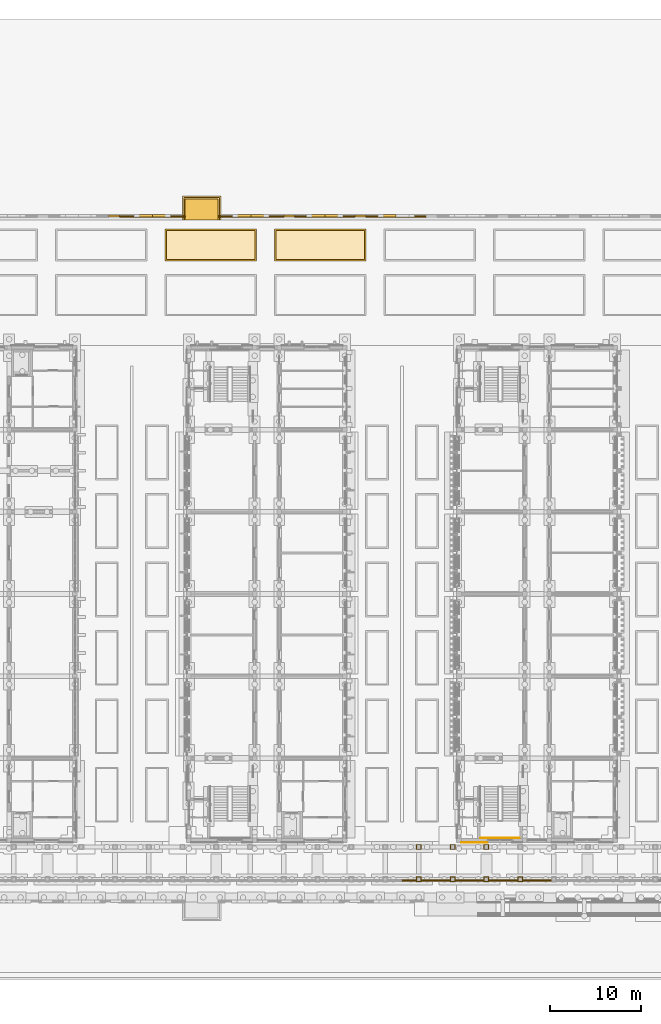
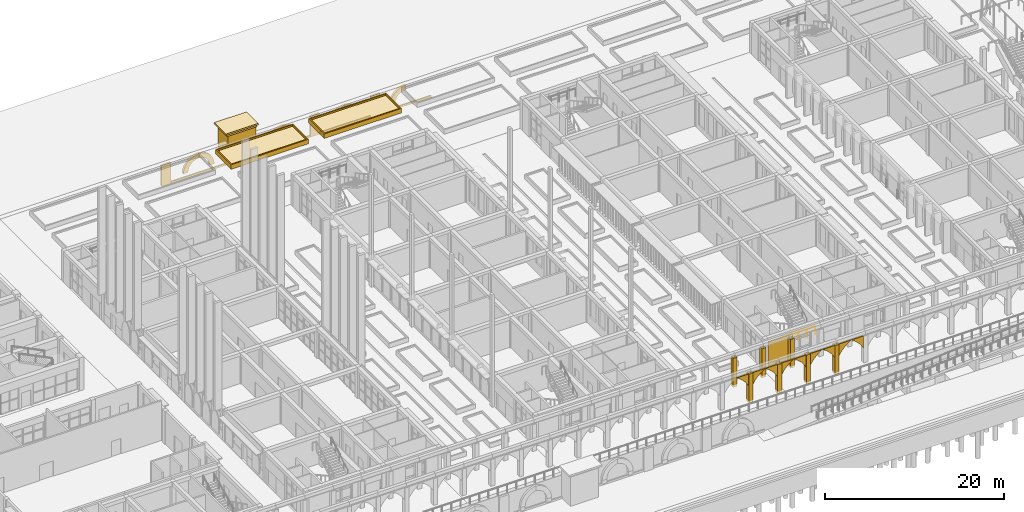
# One storey, part 119 of 161: 38 coverings, 1 railing.
"""IFC4 building model written with IfcOpenShell, lengths in metres."""

from ifc_helpers import new_model, si_unit, direction, frame, origin, origin_2d, place, context, subcontext, project, spatial, polyline, rectangle, circle, outline, extrude, material, layer, layer_set, type_object, element, save


model = new_model("IFC4")

# Units and contexts
model_context = context("Model", 3, precision=1e-05, world=origin(), true_north=direction((0.0, 1.0)))
body_context = subcontext(model_context, "Body", "Model", "MODEL_VIEW")
ifc_project = project(units=[si_unit("LENGTHUNIT", "METRE"), si_unit("AREAUNIT", "SQUARE_METRE"), si_unit("VOLUMEUNIT", "CUBIC_METRE"), si_unit("PLANEANGLEUNIT", "RADIAN"), si_unit("MASSUNIT", "GRAM", prefix="KILO")], contexts=[model_context])

# Site, building, storey
site_placement = place(None, origin())
site = spatial("IfcSite", under=ifc_project, at=site_placement, CompositionType="ELEMENT")
building_placement = place(site_placement, origin())
building = spatial("IfcBuilding", under=site, at=building_placement, Name="Elbe Cascade School", CompositionType="ELEMENT")
storey_placement = place(building_placement, origin())
storey = spatial("IfcBuildingStorey", under=building, at=storey_placement, Name="L00", CompositionType="ELEMENT", Elevation=0.0)

# Railing
ifc_material_1 = material(Name="Steel S355J2H, painted", Category="steel")
railing_type = type_object("IfcRailingType", Name="Bar stair guard 1100", PredefinedType="GUARDRAIL", material=ifc_material_1)
railing_placement = place(storey_placement, frame((130.56005859375, 6.239990234375, 2.25)))
element("IfcRailing", 1, at=railing_placement, inside=storey, type_object=railing_type, Name="Stair guard C0.S", PredefinedType="GUARDRAIL", context=body_context, shape_type="SweptSolid", body=[
    extrude(circle(Radius=0.02392578125, at=origin_2d()), frame((0.0, 0.0, 1.09619140625), z_axis=(1.0, 0.0, 0.0), x_axis=(0.0, 1.0, 0.0)), (0.0, 0.0, 1.0), 4.280029296875),
    extrude(circle(Radius=0.02099609375, at=origin_2d()), origin(), (0.0, 0.0, 1.0), 1.072021484375),
    extrude(circle(Radius=0.02099609375, at=origin_2d()), frame((1.070068359375, 0.0, 0.0)), (0.0, 0.0, 1.0), 1.072021484375),
    extrude(circle(Radius=0.02099609375, at=origin_2d()), frame((2.14013671875, 0.0, 0.0)), (0.0, 0.0, 1.0), 1.072021484375),
    extrude(circle(Radius=0.02099609375, at=origin_2d()), frame((3.2099609375, 0.0, 0.0)), (0.0, 0.0, 1.0), 1.072021484375),
    extrude(circle(Radius=0.02099609375, at=origin_2d()), frame((4.280029296875, 0.0, 0.0)), (0.0, 0.0, 1.0), 1.072021484375),
])

# Coverings
ifc_material_2 = material(Name="Sandstone - red", Category="masonry")
ifc_layer_1 = layer(ifc_material_2, 0.0400390625)
ifc_layer_set_1 = layer_set([ifc_layer_1], Name="Sandstone - red")
covering_type_1 = type_object("IfcCoveringType", Name="Bars envelope Sandstone cladding, red, 40 mm", PredefinedType="CLADDING", material=ifc_layer_set_1)
covering_1_placement = place(storey_placement, frame((129.89990234375, 5.760009765625, 0.0), z_axis=(0.0, 0.0, 1.0), x_axis=(1.0, 0.0, 0.0)))
element("IfcCovering", 2, at=covering_1_placement, inside=storey, type_object=covering_type_1, Name="Sandstone cladding CV48 C.L00.s.1a.1", PredefinedType="CLADDING", context=body_context, shape_type="SweptSolid", body=[
    extrude(rectangle(XDim=2.89990234375, YDim=0.0400390625, at=origin_2d()), origin(), (0.0, 0.0, 1.0), 3.800048828125),
])
ifc_material_3 = material(Name="Sandstone - red", Category="masonry")
ifc_layer_2 = layer(ifc_material_3, 0.199951171875)
ifc_layer_set_2 = layer_set([ifc_layer_2], Name="Sandstone - red")
covering_type_2 = type_object("IfcCoveringType", Name="Bastion coping course 200", PredefinedType="CLADDING", material=ifc_layer_set_2)
covering_2_placement = place(storey_placement, frame((0.0, 0.0, 1.0)))
element("IfcCovering", 3, at=covering_2_placement, inside=storey, type_object=covering_type_2, Name="Bastion coping course 1 N2", PredefinedType="CLADDING", context=body_context, shape_type="SweptSolid", body=[
    extrude(outline(polyline([(98.050048828125, 74.0), (101.949951171875, 74.0), (101.949951171875, 76.449951171875), (98.050048828125, 76.449951171875), (98.050048828125, 74.0)])), origin(), (0.0, 0.0, 1.0), 0.199951171875),
])
covering_3_placement = place(storey_placement, frame((0.0, 0.0, 1.199951171875)))
element("IfcCovering", 4, at=covering_3_placement, inside=storey, type_object=covering_type_2, Name="Bastion coping course 2 N2", PredefinedType="CLADDING", context=body_context, shape_type="SweptSolid", body=[
    extrude(outline(polyline([(97.89990234375, 74.0), (102.10009765625, 74.0), (102.10009765625, 76.60009765625), (97.89990234375, 76.60009765625), (97.89990234375, 74.0)])), origin(), (0.0, 0.0, 1.0), 0.199951171875),
])
ifc_material_4 = material(Name="Sandstone - red", Category="masonry")
ifc_layer_3 = layer(ifc_material_4, 0.14990234375)
ifc_layer_set_3 = layer_set([ifc_layer_3], Name="Sandstone - red")
covering_type_3 = type_object("IfcCoveringType", Name="Plinth base course 150x250", PredefinedType="CLADDING", material=ifc_layer_set_3)
covering_4_placement = place(storey_placement, frame((0.0, 0.0, -3.10009765625)))
element("IfcCovering", 5, at=covering_4_placement, inside=storey, type_object=covering_type_3, Name="Plinth base course north 0.2.8", PredefinedType="CLADDING", context=body_context, shape_type="SweptSolid", body=[
    extrude(outline(polyline([(91.0, 74.300048828125), (98.199951171875, 74.300048828125), (98.199951171875, 74.449951171875), (91.0, 74.449951171875), (91.0, 74.300048828125)])), origin(), (0.0, 0.0, 1.0), 0.25),
])
covering_5_placement = place(storey_placement, frame((0.0, 0.0, -3.10009765625)))
element("IfcCovering", 6, at=covering_5_placement, inside=storey, type_object=covering_type_3, Name="Plinth base course north 0.3.1", PredefinedType="CLADDING", context=body_context, shape_type="SweptSolid", body=[
    extrude(outline(polyline([(101.800048828125, 74.300048828125), (109.0, 74.300048828125), (109.0, 74.449951171875), (101.800048828125, 74.449951171875), (101.800048828125, 74.300048828125)])), origin(), (0.0, 0.0, 1.0), 0.25),
])
covering_6_placement = place(storey_placement, frame((0.0, 0.0, -3.10009765625)))
element("IfcCovering", 7, at=covering_6_placement, inside=storey, type_object=covering_type_3, Name="Plinth base course north 0.3.2", PredefinedType="CLADDING", context=body_context, shape_type="SweptSolid", body=[
    extrude(outline(polyline([(110.199951171875, 74.300048828125), (116.800048828125, 74.300048828125), (116.800048828125, 74.449951171875), (110.199951171875, 74.449951171875), (110.199951171875, 74.300048828125)])), origin(), (0.0, 0.0, 1.0), 0.25),
])
covering_7_placement = place(storey_placement, frame((0.0, 0.0, -3.10009765625)))
element("IfcCovering", 8, at=covering_7_placement, inside=storey, type_object=covering_type_3, Name="Plinth base course north 0.3.3", PredefinedType="CLADDING", context=body_context, shape_type="SweptSolid", body=[
    extrude(outline(polyline([(118.0, 74.300048828125), (124.60009765625, 74.300048828125), (124.60009765625, 74.449951171875), (118.0, 74.449951171875), (118.0, 74.300048828125)])), origin(), (0.0, 0.0, 1.0), 0.25),
])
ifc_material_5 = material(Name="Sandstone - red", Category="masonry")
ifc_layer_4 = layer(ifc_material_5, 2.300048828125)
ifc_layer_set_4 = layer_set([ifc_layer_4], Name="Sandstone - red")
covering_type_4 = type_object("IfcCoveringType", Name="Plinth bastion 3600x2300", PredefinedType="CLADDING", material=ifc_layer_set_4)
covering_8_placement = place(storey_placement, frame((0.0, 0.0, -3.10009765625)))
element("IfcCovering", 9, at=covering_8_placement, inside=storey, type_object=covering_type_4, Name="Plinth bastion N2 1", PredefinedType="CLADDING", context=body_context, shape_type="SweptSolid", body=[
    extrude(outline(polyline([(98.199951171875, 74.0), (101.800048828125, 74.0), (101.800048828125, 76.300048828125), (98.199951171875, 76.300048828125), (98.199951171875, 74.0)])), origin(), (0.0, 0.0, 1.0), 4.10009765625),
])
ifc_material_6 = material(Name="Sandstone - red", Category="masonry")
ifc_layer_5 = layer(ifc_material_6, 0.300048828125)
ifc_layer_set_5 = layer_set([ifc_layer_5], Name="Sandstone - red")
covering_type_5 = type_object("IfcCoveringType", Name="Plinth niche arch band 600x300", PredefinedType="CLADDING", material=ifc_layer_set_5)
covering_9_placement = place(storey_placement, frame((96.60009765625, 74.60009765625, -2.35009765625), z_axis=(0.0, 1.0, 0.0), x_axis=(-1.0, 0.0, 0.0)))
element("IfcCovering", 10, at=covering_9_placement, inside=storey, type_object=covering_type_5, Name="Plinth niche arch band north 0.2.8a", PredefinedType="CLADDING", context=body_context, shape_type="SweptSolid", body=[
    extrude(outline(polyline([(0.0, 0.0), (0.60009765625, 0.0), (0.6171875, 0.221923828125), (0.66796875, 0.438720703125), (0.75146484375, 0.64501953125), (0.865234375, 0.83642578125), (1.007080078125, 1.0078125), (1.173583984375, 1.15576171875), (1.36083984375, 1.2763671875), (1.564208984375, 1.366943359375), (1.77880859375, 1.42529296875), (2.0, 1.4501953125), (2.0, 2.05029296875), (1.68505859375, 2.01806640625), (1.378662109375, 1.9375), (1.08837890625, 1.81103515625), (0.82080078125, 1.64111328125), (0.5830078125, 1.43212890625), (0.3798828125, 1.189208984375), (0.216796875, 0.91748046875), (0.097412109375, 0.624267578125), (0.024658203125, 0.31591796875), (0.0, 0.0)])), origin(), (0.0, 0.0, -1.0), 0.300048828125),
])
covering_10_placement = place(storey_placement, frame((92.62451171875, 74.60009765625, -2.0341796875), z_axis=(0.0, 1.0, 0.0), x_axis=(0.229640615433, 0.0, 0.973275494268)))
element("IfcCovering", 11, at=covering_10_placement, inside=storey, type_object=covering_type_5, Name="Plinth niche arch band north 0.2.8b", PredefinedType="CLADDING", context=body_context, shape_type="SweptSolid", body=[
    extrude(outline(polyline([(0.0, 0.0), (0.31681637027835047, 0.0), (0.6296088823787412, 0.04886067811575373), (0.9315267427864806, 0.14518832098545423), (1.2146004998268738, 0.2871006253983999), (1.4726628589921735, 0.4707850101886869), (1.699434396567878, 0.6919536620154754), (1.8891803432917578, 0.9454377254653902), (2.037954729394572, 1.2251445961231031), (2.1416994559003246, 1.5245064373983495), (1.5576391129042635, 1.662313232499558), (1.4826077413227772, 1.4527516467981305), (1.3764806454459984, 1.2570489300335477), (1.2416232623821883, 1.0799146970257483), (1.081295428986102, 0.9255966880936953), (0.8990640204772993, 0.7975176660871937), (0.6996279279093016, 0.6985824547516934), (0.4872108101606949, 0.6318080070394001), (0.26725112189532263, 0.5979178949791348), (0.04458659872137888, 0.5982791165847868), (-0.17533094702333402, 0.6326087149319284), (-0.3130816775211652, 0.04878598802333507), (0.0, 0.0)])), origin(), (0.0, 0.0, -1.0), 0.300048828125),
])
covering_11_placement = place(storey_placement, frame((107.39990234375, 74.60009765625, -2.35009765625), z_axis=(0.0, 1.0, 0.0), x_axis=(-1.0, 0.0, 0.0)))
element("IfcCovering", 12, at=covering_11_placement, inside=storey, type_object=covering_type_5, Name="Plinth niche arch band north 0.3.1a", PredefinedType="CLADDING", context=body_context, shape_type="SweptSolid", body=[
    extrude(outline(polyline([(0.0, 0.0), (0.599853515625, 0.0), (0.616943359375, 0.221923828125), (0.667724609375, 0.438720703125), (0.751220703125, 0.64501953125), (0.864990234375, 0.83642578125), (1.007080078125, 1.0078125), (1.173583984375, 1.15576171875), (1.360595703125, 1.2763671875), (1.56396484375, 1.366943359375), (1.77880859375, 1.42529296875), (2.0, 1.4501953125), (2.0, 2.05029296875), (1.684814453125, 2.01806640625), (1.37841796875, 1.9375), (1.088134765625, 1.81103515625), (0.82080078125, 1.64111328125), (0.582763671875, 1.43212890625), (0.379638671875, 1.189208984375), (0.216552734375, 0.91748046875), (0.09716796875, 0.624267578125), (0.0244140625, 0.31591796875), (0.0, 0.0)])), origin(), (0.0, 0.0, -1.0), 0.300048828125),
])
covering_12_placement = place(storey_placement, frame((103.424560546875, 74.60009765625, -2.0341796875), z_axis=(0.0, 1.0, 0.0), x_axis=(0.229640615433, 0.0, 0.973275494268)))
element("IfcCovering", 13, at=covering_12_placement, inside=storey, type_object=covering_type_5, Name="Plinth niche arch band north 0.3.1b", PredefinedType="CLADDING", context=body_context, shape_type="SweptSolid", body=[
    extrude(outline(polyline([(0.0, 0.0), (0.31681637027835047, 0.0), (0.6296088823787412, 0.04886067811575373), (0.9315267427864806, 0.14518832098545423), (1.2146004998268738, 0.2871006253983999), (1.4726067943887962, 0.47054739410121904), (1.699434396567878, 0.6919536620154754), (1.8891803432917578, 0.9454377254653902), (2.037954729394572, 1.2251445961231031), (2.1416433912969475, 1.5242688213108815), (1.5575830483008861, 1.66207561641209), (1.4825516767193998, 1.4525140307106628), (1.3764806454459984, 1.2570489300335477), (1.2416232623821883, 1.0799146970257483), (1.0812393643827247, 0.9253590720062276), (0.899007955873922, 0.7972800499997257), (0.6996279279093016, 0.6985824547516934), (0.4872108101606949, 0.6318080070394001), (0.26725112189532263, 0.5979178949791348), (0.04458659872137888, 0.5982791165847868), (-0.17533094702333402, 0.6326087149319284), (-0.3131377421245425, 0.04854837193586718), (0.0, 0.0)])), origin(), (0.0, 0.0, -1.0), 0.300048828125),
])
covering_13_placement = place(storey_placement, frame((115.5, 74.60009765625, -2.35009765625), z_axis=(0.0, 1.0, 0.0), x_axis=(-1.0, 0.0, 0.0)))
element("IfcCovering", 14, at=covering_13_placement, inside=storey, type_object=covering_type_5, Name="Plinth niche arch band north 0.3.2a", PredefinedType="CLADDING", context=body_context, shape_type="SweptSolid", body=[
    extrude(outline(polyline([(0.0, 0.0), (0.60009765625, 0.0), (0.6171875, 0.221923828125), (0.66796875, 0.438720703125), (0.751220703125, 0.64501953125), (0.865234375, 0.83642578125), (1.007080078125, 1.0078125), (1.173583984375, 1.15576171875), (1.360595703125, 1.2763671875), (1.56396484375, 1.366943359375), (1.77880859375, 1.42529296875), (2.0, 1.4501953125), (2.0, 2.05029296875), (1.684814453125, 2.01806640625), (1.37841796875, 1.9375), (1.088134765625, 1.81103515625), (0.82080078125, 1.64111328125), (0.582763671875, 1.43212890625), (0.3798828125, 1.189208984375), (0.216796875, 0.91748046875), (0.097412109375, 0.624267578125), (0.0244140625, 0.31591796875), (0.0, 0.0)])), origin(), (0.0, 0.0, -1.0), 0.300048828125),
])
covering_14_placement = place(storey_placement, frame((111.5244140625, 74.60009765625, -2.0341796875), z_axis=(0.0, 1.0, 0.0), x_axis=(0.230370389833, 0.0, 0.973103017922)))
element("IfcCovering", 15, at=covering_14_placement, inside=storey, type_object=covering_type_5, Name="Plinth niche arch band north 0.3.2b", PredefinedType="CLADDING", context=body_context, shape_type="SweptSolid", body=[
    extrude(outline(polyline([(0.0, 0.0), (0.31687252397341076, 0.0), (0.6297015877312577, 0.04862610780633542), (0.9316915973394285, 0.14472732169500946), (1.2148154490930958, 0.2861897411309222), (1.473015476785429, 0.46968055870342257), (1.6999528003548228, 0.6906790971069348), (1.8898887761347143, 0.9440208027650488), (2.038872866748509, 1.2236160319757423), (2.1428420492777027, 1.522899993079024), (1.558885208933074, 1.6611447240869763), (1.4836967125911875, 1.4516394617641843), (1.37742289317322, 1.2560163825158634), (1.2424327187641548, 1.0789833260459185), (1.0819892105939604, 0.9247855869954477), (0.8996618095377079, 0.7968432525266855), (0.7002078263653932, 0.6982951959470896), (0.4876844528052212, 0.6314424801900893), (0.2677556556673356, 0.5979548948134422), (0.04509146597014914, 0.5984830877928479), (-0.17480027489389646, 0.6329775880622152), (-0.3130450059018489, 0.0490207477175865), (0.0, 0.0)])), origin(), (0.0, 0.0, -1.0), 0.300048828125),
])
covering_15_placement = place(storey_placement, frame((119.324462890625, 74.60009765625, -2.0341796875), z_axis=(0.0, 1.0, 0.0), x_axis=(0.229640615433, 0.0, 0.973275494268)))
element("IfcCovering", 16, at=covering_15_placement, inside=storey, type_object=covering_type_5, Name="Plinth niche arch band north 0.3.3b", PredefinedType="CLADDING", context=body_context, shape_type="SweptSolid", body=[
    extrude(outline(polyline([(0.0, 0.0), (0.31681637027835047, 0.0), (0.6296088823787412, 0.04886067811575373), (0.9315267427864806, 0.14518832098545423), (1.2146004998268738, 0.2871006253983999), (1.4726628589921735, 0.4707850101886869), (1.699434396567878, 0.6919536620154754), (1.8891803432917578, 0.9454377254653902), (2.037954729394572, 1.2251445961231031), (2.1416994559003246, 1.5245064373983495), (1.5576391129042635, 1.662313232499558), (1.4826077413227772, 1.4527516467981305), (1.3764806454459984, 1.2570489300335477), (1.2416232623821883, 1.0799146970257483), (1.081295428986102, 0.9255966880936953), (0.8990640204772993, 0.7975176660871937), (0.6996839925126788, 0.6988200708391613), (0.4872108101606949, 0.6318080070394001), (0.2673071864986999, 0.5981555110666027), (0.04458659872137888, 0.5982791165847868), (-0.17533094702333402, 0.6326087149319284), (-0.3130816775211652, 0.04878598802333507), (0.0, 0.0)])), origin(), (0.0, 0.0, -1.0), 0.300048828125),
])
ifc_material_7 = material(Name="Sandstone - red", Category="masonry")
ifc_layer_6 = layer(ifc_material_7, 0.25)
ifc_layer_set_6 = layer_set([ifc_layer_6], Name="Sandstone - red")
covering_type_6 = type_object("IfcCoveringType", Name="Plinth pilaster 1200x250", PredefinedType="CLADDING", material=ifc_layer_set_6)
covering_16_placement = place(storey_placement, frame((0.0, 0.0, -3.10009765625)))
element("IfcCovering", 17, at=covering_16_placement, inside=storey, type_object=covering_type_6, Name="Plinth pilaster north 0.2.7", PredefinedType="CLADDING", context=body_context, shape_type="SweptSolid", body=[
    extrude(outline(polyline([(89.800048828125, 74.300048828125), (91.0, 74.300048828125), (91.0, 74.550048828125), (89.800048828125, 74.550048828125), (89.800048828125, 74.300048828125)])), origin(), (0.0, 0.0, 1.0), 2.85009765625),
])
covering_17_placement = place(storey_placement, frame((0.0, 0.0, -3.10009765625)))
element("IfcCovering", 18, at=covering_17_placement, inside=storey, type_object=covering_type_6, Name="Plinth pilaster north 0.3.1", PredefinedType="CLADDING", context=body_context, shape_type="SweptSolid", body=[
    extrude(outline(polyline([(109.0, 74.300048828125), (110.199951171875, 74.300048828125), (110.199951171875, 74.550048828125), (109.0, 74.550048828125), (109.0, 74.300048828125)])), origin(), (0.0, 0.0, 1.0), 2.85009765625),
])
covering_18_placement = place(storey_placement, frame((0.0, 0.0, -3.10009765625)))
element("IfcCovering", 19, at=covering_18_placement, inside=storey, type_object=covering_type_6, Name="Plinth pilaster north 0.3.2", PredefinedType="CLADDING", context=body_context, shape_type="SweptSolid", body=[
    extrude(outline(polyline([(116.800048828125, 74.300048828125), (118.0, 74.300048828125), (118.0, 74.550048828125), (116.800048828125, 74.550048828125), (116.800048828125, 74.300048828125)])), origin(), (0.0, 0.0, 1.0), 2.85009765625),
])
ifc_material_8 = material(Name="Sandstone - red", Category="masonry")
ifc_layer_7 = layer(ifc_material_8, 0.14990234375)
ifc_layer_set_7 = layer_set([ifc_layer_7], Name="Sandstone - red")
covering_type_7 = type_object("IfcCoveringType", Name="Sandstone arch spandrel 3170x150", PredefinedType="CLADDING", material=ifc_layer_set_7)
covering_19_placement = place(storey_placement, frame((121.949951171875, 1.52490234375, 3.64990234375), z_axis=(0.0, -1.0, 0.0), x_axis=(0.851947232707, 0.0, -0.52362764698)))
element("IfcCovering", 20, at=covering_19_placement, inside=storey, type_object=covering_type_7, Name="Colonnade arch spandrel 31r", PredefinedType="CLADDING", context=body_context, shape_type="SweptSolid", body=[
    extrude(outline(polyline([(0.0, 0.0), (0.2900065908011918, 0.0), (0.5792338172011682, -0.021111896437985944), (0.866258188207625, -0.06335089842938235), (1.1492726964852549, -0.12610823030003315), (1.4269340071906127, -0.20906326745450166), (1.6980266242612543, -0.3121033802272114), (1.960951535291733, -0.4344919541630051), (2.2142375666576024, -0.5757003697365862), (1.3503030846525463, 0.8299293662587784), (0.0, 0.0)])), origin(), (0.0, 0.0, -1.0), 0.14990234375),
])
covering_20_placement = place(storey_placement, frame((124.06494140625, 1.52490234375, 3.64990234375), z_axis=(0.0, -1.0, 0.0), x_axis=(0.0, 0.0, -1.0)))
element("IfcCovering", 21, at=covering_20_placement, inside=storey, type_object=covering_type_7, Name="Colonnade arch spandrel 32l", PredefinedType="CLADDING", context=body_context, shape_type="SweptSolid", body=[
    extrude(outline(polyline([(0.0, 0.0), (1.64990234375, 0.0), (1.39697265625, 0.141845703125), (1.155029296875, 0.3017578125), (0.92529296875, 0.478759765625), (0.709228515625, 0.672119140625), (0.507568359375, 0.88037109375), (0.3212890625, 1.102783203125), (0.15185546875, 1.338134765625), (0.0, 1.5849609375), (0.0, 0.0)])), origin(), (0.0, 0.0, -1.0), 0.14990234375),
])
covering_21_placement = place(storey_placement, frame((125.64990234375, 1.52490234375, 3.64990234375), z_axis=(0.0, -1.0, 0.0), x_axis=(0.851947232707, 0.0, -0.52362764698)))
element("IfcCovering", 22, at=covering_21_placement, inside=storey, type_object=covering_type_7, Name="Colonnade arch spandrel 32r", PredefinedType="CLADDING", context=body_context, shape_type="SweptSolid", body=[
    extrude(outline(polyline([(0.0, 0.0), (0.2900065908011918, 0.0), (0.5792338172011682, -0.021111896437985944), (0.866258188207625, -0.06335089842938235), (1.1492726964852549, -0.12610823030003315), (1.4269340071906127, -0.20906326745450166), (1.6980266242612543, -0.3121033802272114), (1.960951535291733, -0.4344919541630051), (2.2144455615874628, -0.5755725309555851), (1.3505110795824065, 0.8300572050397795), (0.0, 0.0)])), origin(), (0.0, 0.0, -1.0), 0.14990234375),
])
covering_22_placement = place(storey_placement, frame((127.764892578125, 1.52490234375, 3.64990234375), z_axis=(0.0, -1.0, 0.0), x_axis=(0.0, 0.0, -1.0)))
element("IfcCovering", 23, at=covering_22_placement, inside=storey, type_object=covering_type_7, Name="Colonnade arch spandrel 33l", PredefinedType="CLADDING", context=body_context, shape_type="SweptSolid", body=[
    extrude(outline(polyline([(0.0, 0.0), (1.64990234375, 0.0), (1.39697265625, 0.14208984375), (1.155029296875, 0.302001953125), (0.92529296875, 0.47900390625), (0.709228515625, 0.672119140625), (0.507568359375, 0.88037109375), (0.3212890625, 1.102783203125), (0.15185546875, 1.338134765625), (0.0, 1.585205078125), (0.0, 0.0)])), origin(), (0.0, 0.0, -1.0), 0.14990234375),
])
covering_23_placement = place(storey_placement, frame((129.35009765625, 1.52490234375, 3.64990234375), z_axis=(0.0, -1.0, 0.0), x_axis=(0.851716162106, 0.0, -0.524003415262)))
element("IfcCovering", 24, at=covering_23_placement, inside=storey, type_object=covering_type_7, Name="Colonnade arch spandrel 33r", PredefinedType="CLADDING", context=body_context, shape_type="SweptSolid", body=[
    extrude(outline(polyline([(0.0, 0.0), (0.28979862406807466, 0.0), (0.5790351354115117, -0.02098430766332937), (0.8660781113695626, -0.06309669056939587), (1.1491202762337052, -0.12572917022788543), (1.4270260923703046, -0.20843378413815372), (1.6981641371186122, -0.3113542998796086), (1.9611430118023847, -0.4336268779193272), (2.214491309750543, -0.5747235477618304), (1.3499368467761932, 0.8305249443074108), (0.0, 0.0)])), origin(), (0.0, 0.0, -1.0), 0.14990234375),
])
covering_24_placement = place(storey_placement, frame((131.465087890625, 1.52490234375, 3.64990234375), z_axis=(0.0, -1.0, 0.0), x_axis=(0.0, 0.0, -1.0)))
element("IfcCovering", 25, at=covering_24_placement, inside=storey, type_object=covering_type_7, Name="Colonnade arch spandrel 34l", PredefinedType="CLADDING", context=body_context, shape_type="SweptSolid", body=[
    extrude(outline(polyline([(0.0, 0.0), (1.64990234375, 0.0), (1.39697265625, 0.141845703125), (1.155029296875, 0.3017578125), (0.92529296875, 0.478759765625), (0.709228515625, 0.671875), (0.507568359375, 0.880126953125), (0.3212890625, 1.1025390625), (0.15185546875, 1.337890625), (0.0, 1.5849609375), (0.0, 0.0)])), origin(), (0.0, 0.0, -1.0), 0.14990234375),
])
covering_25_placement = place(storey_placement, frame((133.050048828125, 1.52490234375, 3.64990234375), z_axis=(0.0, -1.0, 0.0), x_axis=(0.851947232707, 0.0, -0.52362764698)))
element("IfcCovering", 26, at=covering_25_placement, inside=storey, type_object=covering_type_7, Name="Colonnade arch spandrel 34r", PredefinedType="CLADDING", context=body_context, shape_type="SweptSolid", body=[
    extrude(outline(polyline([(0.0, 0.0), (0.2900065908011918, 0.0), (0.5790258222713079, -0.021239735218986977), (0.8660501932777647, -0.06347873721038338), (1.1490647015553945, -0.12623606908103424), (1.4269340071906127, -0.20906326745450166), (1.6980266242612543, -0.3121033802272114), (1.960951535291733, -0.4344919541630051), (2.2142375666576024, -0.5757003697365862), (1.3503030846525463, 0.8299293662587784), (0.0, 0.0)])), origin(), (0.0, 0.0, -1.0), 0.14990234375),
])
covering_26_placement = place(storey_placement, frame((135.1650390625, 1.52490234375, 3.64990234375), z_axis=(0.0, -1.0, 0.0), x_axis=(0.0, 0.0, -1.0)))
element("IfcCovering", 27, at=covering_26_placement, inside=storey, type_object=covering_type_7, Name="Colonnade arch spandrel 35l", PredefinedType="CLADDING", context=body_context, shape_type="SweptSolid", body=[
    extrude(outline(polyline([(0.0, 0.0), (1.64990234375, 0.0), (1.39697265625, 0.141845703125), (1.155029296875, 0.3017578125), (0.92529296875, 0.478759765625), (0.709228515625, 0.671875), (0.507568359375, 0.88037109375), (0.3212890625, 1.1025390625), (0.15185546875, 1.337890625), (0.0, 1.5849609375), (0.0, 0.0)])), origin(), (0.0, 0.0, -1.0), 0.14990234375),
])
covering_27_placement = place(storey_placement, frame((136.75, 1.52490234375, 3.64990234375), z_axis=(0.0, -1.0, 0.0), x_axis=(0.851947232707, 0.0, -0.52362764698)))
element("IfcCovering", 28, at=covering_27_placement, inside=storey, type_object=covering_type_7, Name="Colonnade arch spandrel 35r", PredefinedType="CLADDING", context=body_context, shape_type="SweptSolid", body=[
    extrude(outline(polyline([(0.0, 0.0), (0.2900065908011918, 0.0), (0.5792338172011682, -0.021111896437985944), (0.8660501932777647, -0.06347873721038338), (1.1492726964852549, -0.12610823030003315), (1.4269340071906127, -0.20906326745450166), (1.6980266242612543, -0.3121033802272114), (1.960951535291733, -0.4344919541630051), (2.2142375666576024, -0.5757003697365862), (1.3503030846525463, 0.8299293662587784), (0.0, 0.0)])), origin(), (0.0, 0.0, -1.0), 0.14990234375),
])
ifc_material_9 = material(Name="Sandstone - red", Category="masonry")
ifc_layer_8 = layer(ifc_material_9, 0.0400390625)
ifc_layer_set_8 = layer_set([ifc_layer_8], Name="Sandstone - red")
covering_type_8 = type_object("IfcCoveringType", Name="Sandstone column cladding 40", PredefinedType="CLADDING", material=ifc_layer_set_8)
covering_28_placement = place(storey_placement, frame((0.0, 0.0, -0.300048828125)))
element("IfcCovering", 29, at=covering_28_placement, inside=storey, type_object=covering_type_8, Name="Colonnade column sandstone cladding F32", PredefinedType="CLADDING", context=body_context, shape_type="SweptSolid", body=[
    extrude(outline(polyline([(123.534912109375, 1.4599609375), (124.06494140625, 1.4599609375), (124.06494140625, 1.989990234375), (123.534912109375, 1.989990234375), (123.534912109375, 1.4599609375)]), holes=[polyline([(123.574951171875, 1.949951171875), (124.02490234375, 1.949951171875), (124.02490234375, 1.5), (123.574951171875, 1.5), (123.574951171875, 1.949951171875)])]), origin(), (0.0, 0.0, 1.0), 3.949951171875),
])
covering_29_placement = place(storey_placement, frame((0.0, 0.0, -0.300048828125)))
element("IfcCovering", 30, at=covering_29_placement, inside=storey, type_object=covering_type_8, Name="Colonnade column sandstone cladding F33", PredefinedType="CLADDING", context=body_context, shape_type="SweptSolid", body=[
    extrude(outline(polyline([(127.235107421875, 1.4599609375), (127.764892578125, 1.4599609375), (127.764892578125, 1.989990234375), (127.235107421875, 1.989990234375), (127.235107421875, 1.4599609375)]), holes=[polyline([(127.27490234375, 1.949951171875), (127.72509765625, 1.949951171875), (127.72509765625, 1.5), (127.27490234375, 1.5), (127.27490234375, 1.949951171875)])]), origin(), (0.0, 0.0, 1.0), 3.949951171875),
])
covering_30_placement = place(storey_placement, frame((0.0, 0.0, -0.300048828125)))
element("IfcCovering", 31, at=covering_30_placement, inside=storey, type_object=covering_type_8, Name="Colonnade column sandstone cladding F34", PredefinedType="CLADDING", context=body_context, shape_type="SweptSolid", body=[
    extrude(outline(polyline([(130.93505859375, 1.4599609375), (131.465087890625, 1.4599609375), (131.465087890625, 1.989990234375), (130.93505859375, 1.989990234375), (130.93505859375, 1.4599609375)]), holes=[polyline([(130.97509765625, 1.949951171875), (131.425048828125, 1.949951171875), (131.425048828125, 1.5), (130.97509765625, 1.5), (130.97509765625, 1.949951171875)])]), origin(), (0.0, 0.0, 1.0), 3.949951171875),
])
covering_31_placement = place(storey_placement, frame((0.0, 0.0, -0.300048828125)))
element("IfcCovering", 32, at=covering_31_placement, inside=storey, type_object=covering_type_8, Name="Colonnade column sandstone cladding F35", PredefinedType="CLADDING", context=body_context, shape_type="SweptSolid", body=[
    extrude(outline(polyline([(134.635009765625, 1.4599609375), (135.1650390625, 1.4599609375), (135.1650390625, 1.989990234375), (134.635009765625, 1.989990234375), (134.635009765625, 1.4599609375)]), holes=[polyline([(134.675048828125, 1.949951171875), (135.125, 1.949951171875), (135.125, 1.5), (134.675048828125, 1.5), (134.675048828125, 1.949951171875)])]), origin(), (0.0, 0.0, 1.0), 3.949951171875),
])
covering_32_placement = place(storey_placement, frame((0.0, 0.0, -0.300048828125)))
element("IfcCovering", 33, at=covering_32_placement, inside=storey, type_object=covering_type_8, Name="Colonnade column sandstone cladding R32", PredefinedType="CLADDING", context=body_context, shape_type="SweptSolid", body=[
    extrude(outline(polyline([(123.534912109375, 5.010009765625), (124.06494140625, 5.010009765625), (124.06494140625, 5.5400390625), (123.534912109375, 5.5400390625), (123.534912109375, 5.010009765625)]), holes=[polyline([(123.574951171875, 5.5), (124.02490234375, 5.5), (124.02490234375, 5.050048828125), (123.574951171875, 5.050048828125), (123.574951171875, 5.5)])]), origin(), (0.0, 0.0, 1.0), 3.949951171875),
])
covering_33_placement = place(storey_placement, frame((0.0, 0.0, -0.300048828125)))
element("IfcCovering", 34, at=covering_33_placement, inside=storey, type_object=covering_type_8, Name="Colonnade column sandstone cladding R33", PredefinedType="CLADDING", context=body_context, shape_type="SweptSolid", body=[
    extrude(outline(polyline([(127.235107421875, 5.010009765625), (127.764892578125, 5.010009765625), (127.764892578125, 5.5400390625), (127.235107421875, 5.5400390625), (127.235107421875, 5.010009765625)]), holes=[polyline([(127.27490234375, 5.5), (127.72509765625, 5.5), (127.72509765625, 5.050048828125), (127.27490234375, 5.050048828125), (127.27490234375, 5.5)])]), origin(), (0.0, 0.0, 1.0), 3.949951171875),
])
covering_34_placement = place(storey_placement, frame((0.0, 0.0, -0.300048828125)))
element("IfcCovering", 35, at=covering_34_placement, inside=storey, type_object=covering_type_8, Name="Colonnade column sandstone cladding R34", PredefinedType="CLADDING", context=body_context, shape_type="SweptSolid", body=[
    extrude(outline(polyline([(130.93505859375, 5.010009765625), (131.465087890625, 5.010009765625), (131.465087890625, 5.5400390625), (130.93505859375, 5.5400390625), (130.93505859375, 5.010009765625)]), holes=[polyline([(130.97509765625, 5.5), (131.425048828125, 5.5), (131.425048828125, 5.050048828125), (130.97509765625, 5.050048828125), (130.97509765625, 5.5)])]), origin(), (0.0, 0.0, 1.0), 3.949951171875),
])
ifc_material_10 = material(Name="Planting - soil and shrubs", Category="soil")
ifc_layer_9 = layer(ifc_material_10, 0.39990234375)
ifc_layer_set_9 = layer_set([ifc_layer_9], Name="Planting - soil and shrubs")
covering_type_9 = type_object("IfcCoveringType", Name="Site planting bed 400", PredefinedType="USERDEFINED", material=ifc_layer_set_9)
covering_35_placement = place(storey_placement, origin())
element("IfcCovering", 36, at=covering_35_placement, inside=storey, type_object=covering_type_9, Name="Deck planting bed north b.3", ObjectType="PLANTING BED", PredefinedType="USERDEFINED", context=body_context, shape_type="SweptSolid", body=[
    extrude(outline(polyline([(96.14990234375, 69.64990234375), (105.85009765625, 69.64990234375), (105.85009765625, 72.85009765625), (96.14990234375, 72.85009765625), (96.14990234375, 69.64990234375)])), origin(), (0.0, 0.0, 1.0), 0.39990234375),
])
covering_36_placement = place(storey_placement, origin())
element("IfcCovering", 37, at=covering_36_placement, inside=storey, type_object=covering_type_9, Name="Deck planting bed north b.4", ObjectType="PLANTING BED", PredefinedType="USERDEFINED", context=body_context, shape_type="SweptSolid", body=[
    extrude(outline(polyline([(108.14990234375, 69.64990234375), (117.85009765625, 69.64990234375), (117.85009765625, 72.85009765625), (108.14990234375, 72.85009765625), (108.14990234375, 69.64990234375)])), origin(), (0.0, 0.0, 1.0), 0.39990234375),
])
ifc_material_11 = material(Name="Concrete C30/37 precast kerb", Category="concrete")
ifc_layer_10 = layer(ifc_material_11, 0.14990234375)
ifc_layer_set_10 = layer_set([ifc_layer_10], Name="Concrete C30/37 precast kerb")
covering_type_10 = type_object("IfcCoveringType", Name="Site planting bed kerb 150x600", PredefinedType="CLADDING", material=ifc_layer_set_10)
covering_37_placement = place(storey_placement, origin())
element("IfcCovering", 38, at=covering_37_placement, inside=storey, type_object=covering_type_10, Name="Deck planting bed kerb north b.3", PredefinedType="CLADDING", context=body_context, shape_type="SweptSolid", body=[
    extrude(outline(polyline([(96.0, 69.5), (106.0, 69.5), (106.0, 73.0), (96.0, 73.0), (96.0, 69.5)]), holes=[polyline([(96.14990234375, 69.64990234375), (105.85009765625, 69.64990234375), (105.85009765625, 72.85009765625), (96.14990234375, 72.85009765625), (96.14990234375, 69.64990234375)])]), origin(), (0.0, 0.0, 1.0), 0.60009765625),
])
covering_38_placement = place(storey_placement, origin())
element("IfcCovering", 39, at=covering_38_placement, inside=storey, type_object=covering_type_10, Name="Deck planting bed kerb north b.4", PredefinedType="CLADDING", context=body_context, shape_type="SweptSolid", body=[
    extrude(outline(polyline([(108.0, 69.5), (118.0, 69.5), (118.0, 73.0), (108.0, 73.0), (108.0, 69.5)]), holes=[polyline([(108.14990234375, 69.64990234375), (117.85009765625, 69.64990234375), (117.85009765625, 72.85009765625), (108.14990234375, 72.85009765625), (108.14990234375, 69.64990234375)])]), origin(), (0.0, 0.0, 1.0), 0.60009765625),
])

save(model, "model.ifc")
